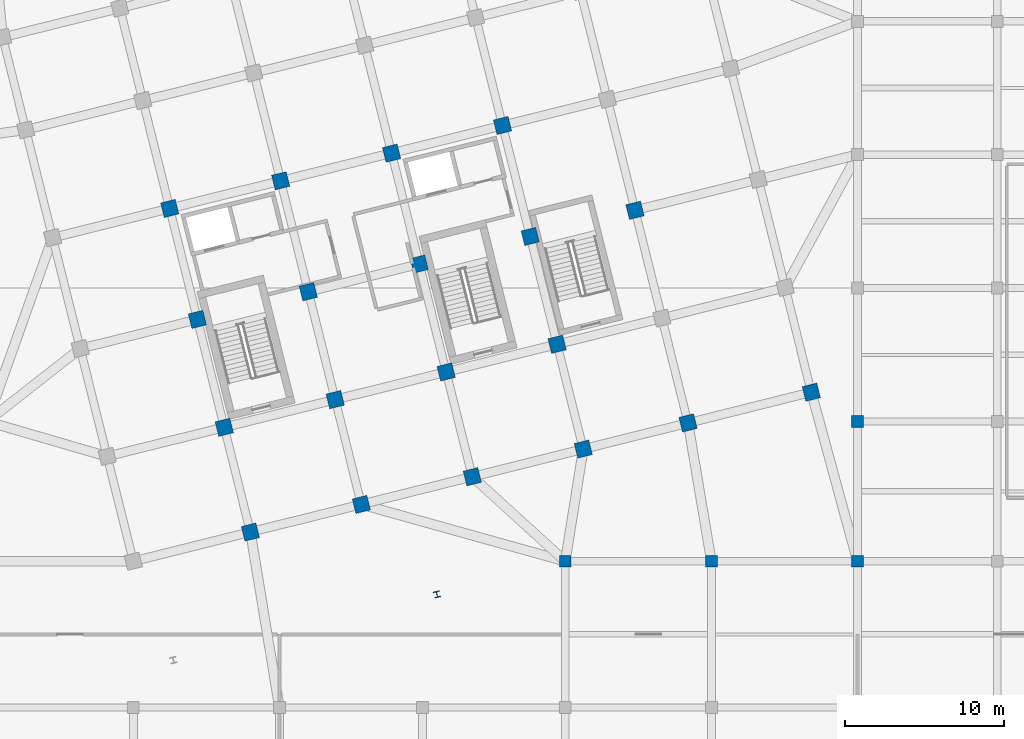
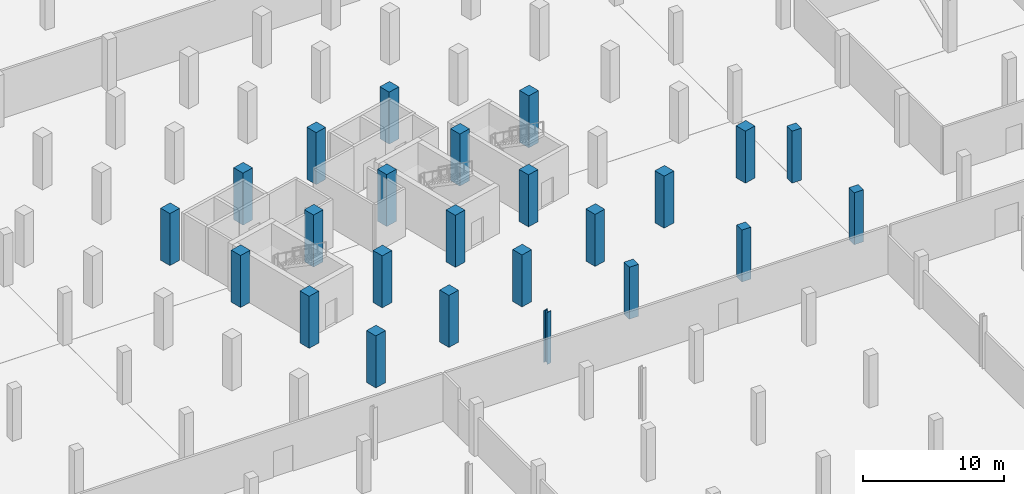
# One storey, part 6 of 31: 24 columns.
"""IFC4 building model written with IfcOpenShell, lengths in metres."""

from ifc_helpers import new_model, si_unit, direction, frame, origin, origin_2d, place, context, subcontext, project, spatial, rectangle, i_section, extrude, material, material_profile, profile_set, type_object, element, save


model = new_model("IFC4")

# Units and contexts
model_context = context("Model", 3, precision=1e-05, world=origin(), true_north=direction((0.0, 1.0)))
body_context = subcontext(model_context, "Body", "Model", "MODEL_VIEW")
ifc_project = project(units=[si_unit("LENGTHUNIT", "METRE"), si_unit("AREAUNIT", "SQUARE_METRE"), si_unit("VOLUMEUNIT", "CUBIC_METRE"), si_unit("PLANEANGLEUNIT", "RADIAN"), si_unit("MASSUNIT", "GRAM", prefix="KILO")], contexts=[model_context])

# Site, building, storey
site_placement = place(None, origin())
site = spatial("IfcSite", under=ifc_project, at=site_placement, CompositionType="ELEMENT")
building_placement = place(site_placement, origin())
building = spatial("IfcBuilding", under=site, at=building_placement, Name="Meriwether Solvik Hall", CompositionType="ELEMENT")
storey_placement = place(building_placement, frame((0.0, 0.0, -4.5)))
storey = spatial("IfcBuildingStorey", under=building, at=storey_placement, Name="B01", CompositionType="ELEMENT", Elevation=-4.5)

# Columns
ifc_material_1 = material(Name="Concrete C40/50", Category="concrete")
ifc_material_profile_1 = material_profile(ifc_material_1, rectangle(XDim=0.75, YDim=0.75, at=origin_2d()), Name="RCC-750X750")
ifc_profile_set_1 = profile_set([ifc_material_profile_1], Name="Concrete C40/50")
column_type_1 = type_object("IfcColumnType", Name="COL-RC-750", PredefinedType="COLUMN", material=ifc_profile_set_1)
for number, where, z_axis, x_axis, name in (
    (1, (95.800048828125, 41.199951171875, 0.0), (0.0, 0.0, 1.0), (1.0, 0.0, 0.0), "Podium Column 11/E (B01)"),
    (2, (105.0, 41.199951171875, 0.0), (0.0, 0.0, 1.0), (1.0, 0.0, 0.0), "Podium Column 12/E (B01)"),
    (3, (114.199951171875, 41.199951171875, 0.0), (0.0, 0.0, 1.0), (1.0, 0.0, 0.0), "Podium Column 13/E (B01)"),
    (4, (114.199951171875, 50.0, 0.0), (0.0, 0.0, 1.0), (1.0, 0.0, 0.0), "Podium Column 13/F (B01)"),
):
    element("IfcColumn", number, at=place(storey_placement, frame(where, z_axis=z_axis, x_axis=x_axis)), inside=storey, type_object=column_type_1, Name=name, PredefinedType="COLUMN", context=body_context, shape_type="SweptSolid", body=[
        extrude(rectangle(XDim=0.75, YDim=0.75, at=origin_2d()), origin(), (0.0, 0.0, 1.0), 4.5),
    ])
ifc_material_2 = material(Name="Concrete C45/55", Category="concrete")
ifc_material_profile_2 = material_profile(ifc_material_2, rectangle(XDim=0.949951171875, YDim=0.949951171875, at=origin_2d()), Name="RCC-950X950")
ifc_profile_set_2 = profile_set([ifc_material_profile_2], Name="Concrete C45/55")
column_type_2 = type_object("IfcColumnType", Name="COL-RC-950", PredefinedType="COLUMN", material=ifc_profile_set_2)
for number, where, z_axis, x_axis, name in (
    (5, (75.974365234375, 43.03857421875, 0.0), (0.0, 0.0, 1.0), (0.970295726276, 0.2419218956, 0.0), "Tower Column T2/TA (B01)"),
    (6, (74.3291015625, 49.63671875, 0.0), (0.0, 0.0, 1.0), (0.970295726276, 0.2419218956, 0.0), "Tower Column T2/TB (B01)"),
    (7, (72.6357421875, 56.4287109375, 0.0), (0.0, 0.0, 1.0), (0.970295726276, 0.2419218956, 0.0), "Tower Column T2/TC (B01)"),
    (8, (70.893798828125, 63.414794921875, 0.0), (0.0, 0.0, 1.0), (0.970295726276, 0.2419218956, 0.0), "Tower Column T2/TD (B01)"),
    (9, (82.96044921875, 44.780517578125, 0.0), (0.0, 0.0, 1.0), (0.970295726276, 0.2419218956, 0.0), "Tower Column T3/TA (B01)"),
    (10, (81.3154296875, 51.37841796875, 0.0), (0.0, 0.0, 1.0), (0.970295726276, 0.2419218956, 0.0), "Tower Column T3/TB (B01)"),
    (11, (79.621826171875, 58.17041015625, 0.0), (0.0, 0.0, 1.0), (0.970295726276, 0.2419218956, 0.0), "Tower Column T3/TC (B01)"),
    (12, (77.880126953125, 65.15673828125, 0.0), (0.0, 0.0, 1.0), (0.970295726276, 0.2419218956, 0.0), "Tower Column T3/TD (B01)"),
    (13, (89.946533203125, 46.522216796875, 0.0), (0.0, 0.0, 1.0), (0.970295726276, 0.2419218956, 0.0), "Tower Column T4/TA (B01)"),
    (14, (88.301513671875, 53.120361328125, 0.0), (0.0, 0.0, 1.0), (0.970295726276, 0.2419218956, 0.0), "Tower Column T4/TB (B01)"),
    (15, (86.60791015625, 59.912353515625, 0.0), (0.0, 0.0, 1.0), (0.970295726276, 0.2419218956, 0.0), "Tower Column T4/TC (B01)"),
    (16, (84.8662109375, 66.8984375, 0.0), (0.0, 0.0, 1.0), (0.970295726276, 0.2419218956, 0.0), "Tower Column T4/TD (B01)"),
    (17, (96.9326171875, 48.26416015625, 0.0), (0.0, 0.0, 1.0), (0.970295726276, 0.2419218956, 0.0), "Tower Column T5/TA (B01)"),
    (18, (95.28759765625, 54.862060546875, 0.0), (0.0, 0.0, 1.0), (0.970295726276, 0.2419218956, 0.0), "Tower Column T5/TB (B01)"),
    (19, (93.593994140625, 61.654296875, 0.0), (0.0, 0.0, 1.0), (0.970295726276, 0.2419218956, 0.0), "Tower Column T5/TC (B01)"),
    (20, (91.852294921875, 68.640380859375, 0.0), (0.0, 0.0, 1.0), (0.970295726276, 0.2419218956, 0.0), "Tower Column T5/TD (B01)"),
    (21, (103.53076171875, 49.9091796875, 0.0), (0.0, 0.0, 1.0), (0.970295726276, 0.2419218956, 0.0), "Tower Column T6/TA (B01)"),
    (22, (100.192138671875, 63.29931640625, 0.0), (0.0, 0.0, 1.0), (0.970295726276, 0.2419218956, 0.0), "Tower Column T6/TC (B01)"),
    (23, (111.29296875, 51.844482421875, 0.0), (0.0, 0.0, 1.0), (0.970295726276, 0.2419218956, 0.0), "Tower Column T7/TA (B01)"),
):
    element("IfcColumn", number, at=place(storey_placement, frame(where, z_axis=z_axis, x_axis=x_axis)), inside=storey, type_object=column_type_2, Name=name, PredefinedType="COLUMN", context=body_context, shape_type="SweptSolid", body=[
        extrude(rectangle(XDim=0.949951171875, YDim=0.949951171875, at=origin_2d()), origin(), (0.0, 0.0, 1.0), 4.5),
    ])
ifc_material_3 = material(Name="Steel A992 Grade 50", Category="steel")
ifc_material_profile_3 = material_profile(ifc_material_3, i_section(OverallWidth=0.3740234375, OverallDepth=0.3720703125, WebThickness=0.016357421875, FlangeThickness=0.026123046875, at=origin_2d()), Name="W14X132")
ifc_profile_set_3 = profile_set([ifc_material_profile_3], Name="Steel A992 Grade 50")
column_type_3 = type_object("IfcColumnType", Name="COL-STL-W14X132", PredefinedType="COLUMN", material=ifc_profile_set_3)
column_placement = place(storey_placement, frame((87.72265625, 39.1142578125, 0.0), z_axis=(0.0, 0.0, 1.0), x_axis=(0.970295726276, 0.2419218956, 0.0)))
element("IfcColumn", 24, at=column_placement, inside=storey, type_object=column_type_3, Name="Atrium Cleft Corner Column NE (B01)", PredefinedType="COLUMN", context=body_context, shape_type="SweptSolid", body=[
    extrude(i_section(OverallWidth=0.3740234375, OverallDepth=0.3720703125, WebThickness=0.016357421875, FlangeThickness=0.026123046875, at=origin_2d()), origin(), (0.0, 0.0, 1.0), 4.5),
])

save(model, "model.ifc")
